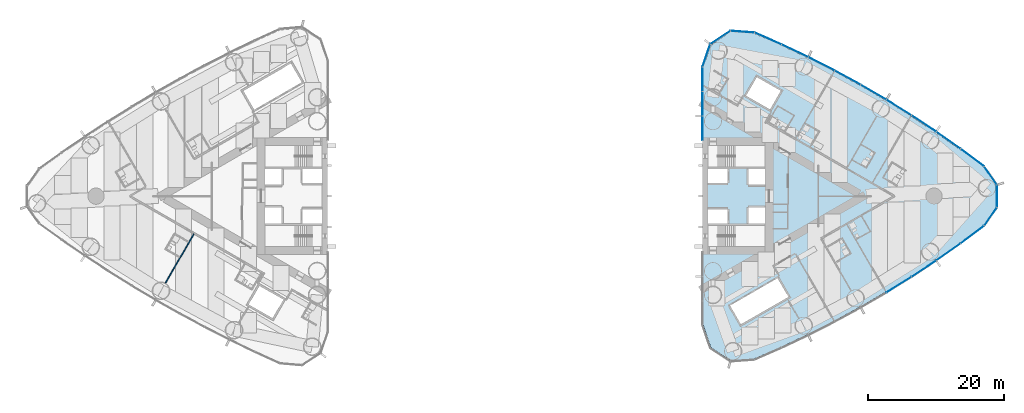
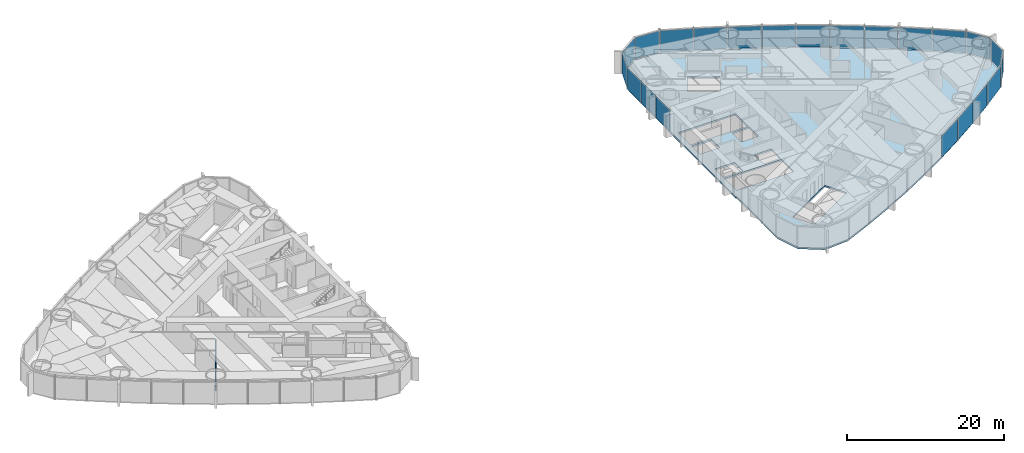
# One storey, part 10 of 18: 22 plates, 1 slab, 1 wall, 1 element without a shape of its own.
"""IFC4 building model written with IfcOpenShell, lengths in metres."""

from ifc_helpers import new_model, si_unit, direction, frame, frame_2d, origin, origin_2d, place, context, subcontext, project, spatial, polyline, rectangle, outline, extrude, material, layer, layer_set, type_object, element, aggregate, save


model = new_model("IFC4")

# Units and contexts
model_context = context("Model", 3, precision=1e-05, world=origin(), true_north=direction((0.0, 1.0)))
body_context = subcontext(model_context, "Body", "Model", "MODEL_VIEW")
ifc_project = project(units=[si_unit("LENGTHUNIT", "METRE"), si_unit("AREAUNIT", "SQUARE_METRE"), si_unit("VOLUMEUNIT", "CUBIC_METRE"), si_unit("PLANEANGLEUNIT", "RADIAN"), si_unit("MASSUNIT", "GRAM", prefix="KILO")], contexts=[model_context])

# Site, building, storey
site_placement = place(None, origin())
site = spatial("IfcSite", under=ifc_project, at=site_placement, CompositionType="ELEMENT")
building_placement = place(site_placement, origin())
building = spatial("IfcBuilding", under=site, at=building_placement, Name="Lancet Gate Hotel", CompositionType="ELEMENT")
storey_placement = place(building_placement, frame((0.0, 0.0, 125.60009765625)))
storey = spatial("IfcBuildingStorey", under=building, at=storey_placement, Name="L33", CompositionType="ELEMENT", Elevation=125.60009765625)

# Slab
ifc_material_1 = material(Name="Concrete C50/60", Category="concrete")
ifc_layer_1 = layer(ifc_material_1, 0.25)
ifc_layer_set_1 = layer_set([ifc_layer_1], Name="Floor slab 250")
slab_type = type_object("IfcSlabType", Name="Floor slab 250", PredefinedType="FLOOR", material=ifc_layer_set_1)
slab_placement = place(storey_placement, frame((0.0, 0.0, -0.25)))
element("IfcSlab", 1, at=slab_placement, inside=storey, type_object=slab_type, Name="T2 L33 floor slab", PredefinedType="FLOOR", context=body_context, shape_type="SweptSolid", body=[
    extrude(outline(polyline([(27.5, -8.60009765625), (27.6201171875, -8.60009765625), (27.6201171875, -18.923095703125), (28.7451171875, -22.22412109375), (31.63427734375, -24.1396484375), (35.112060546875, -23.890869140625), (39.0712890625, -22.150634765625), (42.996826171875, -20.29052734375), (46.867919921875, -18.31982421875), (50.681640625, -16.23974609375), (54.4345703125, -14.052490234375), (58.123779296875, -11.75927734375), (61.74658203125, -9.362548828125), (65.2998046875, -6.863525390625), (68.7666015625, -4.275390625), (70.627197265625, -1.6142578125), (70.627197265625, 1.6142578125), (68.7666015625, 4.275390625), (65.2998046875, 6.863525390625), (61.74658203125, 9.362548828125), (58.123779296875, 11.75927734375), (54.4345703125, 14.052490234375), (50.681640625, 16.23974609375), (46.867919921875, 18.31982421875), (42.996826171875, 20.29052734375), (39.0712890625, 22.150634765625), (35.112060546875, 23.890869140625), (31.63427734375, 24.1396484375), (28.7451171875, 22.22412109375), (27.6201171875, 18.923095703125), (27.6201171875, 8.60009765625), (27.5, 8.60009765625), (27.5, 8.199951171875), (27.5, -8.199951171875), (27.5, -8.60009765625)]), holes=[polyline([(36.699951171875, -7.39990234375), (36.699951171875, -4.300048828125), (28.300048828125, -4.300048828125), (28.300048828125, -7.39990234375), (36.699951171875, -7.39990234375)]), polyline([(28.300048828125, -4.0), (31.199951171875, -4.0), (31.199951171875, -1.89990234375), (28.300048828125, -1.89990234375), (28.300048828125, -4.0)]), polyline([(34.25, -4.0), (36.699951171875, -4.0), (36.699951171875, -1.64990234375), (34.25, -1.64990234375), (34.25, -4.0)]), polyline([(36.699951171875, 1.64990234375), (36.699951171875, 4.0), (34.25, 4.0), (34.25, 1.64990234375), (36.699951171875, 1.64990234375)]), polyline([(28.300048828125, 1.89990234375), (31.199951171875, 1.89990234375), (31.199951171875, 4.0), (28.300048828125, 4.0), (28.300048828125, 1.89990234375)]), polyline([(28.300048828125, 4.300048828125), (36.699951171875, 4.300048828125), (36.699951171875, 7.39990234375), (28.300048828125, 7.39990234375), (28.300048828125, 4.300048828125)]), polyline([(31.549072265625, -16.0810546875), (33.14892578125, -18.85205078125), (40.1640625, -14.802001953125), (38.56396484375, -12.031005859375), (31.549072265625, -16.0810546875)]), polyline([(33.887939453125, 14.73095703125), (37.43798828125, 12.680908203125), (39.0380859375, 15.451904296875), (35.488037109375, 17.501953125), (33.887939453125, 14.73095703125)])]), origin(), (0.0, 0.0, 1.0), 0.25),
])

# Curtain wall, plates
ifc_material_2 = material(Name="Aluminium curtain wall", Category="aluminium")
curtain_wall_type = type_object("IfcCurtainWallType", Name="Tower unitised curtain wall", PredefinedType="USERDEFINED", material=ifc_material_2)
curtain_wall_placement = place(storey_placement, origin())
curtain_wall = element("IfcCurtainWall", 2, at=curtain_wall_placement, inside=storey, type_object=curtain_wall_type, Name="T2 L33 curtain wall 1", ObjectType="UNITISED CURTAIN WALL", PredefinedType="USERDEFINED")
ifc_material_3 = material(Name="Glass double glazed unit 8-16-6", Category="glass")
ifc_layer_2 = layer(ifc_material_3, 0.030029296875)
ifc_layer_set_2 = layer_set([ifc_layer_2], Name="Vision panel double glazed")
plate_type = type_object("IfcPlateType", Name="Vision panel double glazed", PredefinedType="CURTAIN_PANEL", material=ifc_layer_set_2)
plate_1_placement = place(storey_placement, frame((56.342529296875, -13.0078125, -0.000244140625), z_axis=(0.0, 0.0, 1.0), x_axis=(0.849317759497, 0.527881940781, 0.0)))
plate_1 = element("IfcPlate", 3, at=plate_1_placement, type_object=plate_type, Name="T2 L33 curtain wall 1 panel 12", PredefinedType="CURTAIN_PANEL", context=body_context, shape_type="SweptSolid", body=[
    extrude(rectangle(XDim=4.2822265625, YDim=0.030029296875, at=origin_2d()), origin(), (0.0, 0.0, 1.0), 3.35009765625),
])
plate_2_placement = place(storey_placement, frame((60.00146484375, -10.660888671875, -0.000244140625), z_axis=(0.0, 0.0, 1.0), x_axis=(0.83398495346, 0.551787184885, 0.0)))
plate_2 = element("IfcPlate", 4, at=plate_2_placement, type_object=plate_type, Name="T2 L33 curtain wall 1 panel 13", PredefinedType="CURTAIN_PANEL", context=body_context, shape_type="SweptSolid", body=[
    extrude(rectangle(XDim=4.2822265625, YDim=0.030029296875, at=origin_2d()), origin(), (0.0, 0.0, 1.0), 3.35009765625),
])
plate_3_placement = place(storey_placement, frame((63.59228515625, -8.211181640625, -0.000244140625), z_axis=(0.0, 0.0, 1.0), x_axis=(0.817979492167, 0.57524738191, 0.0)))
plate_3 = element("IfcPlate", 5, at=plate_3_placement, type_object=plate_type, Name="T2 L33 curtain wall 1 panel 14", PredefinedType="CURTAIN_PANEL", context=body_context, shape_type="SweptSolid", body=[
    extrude(rectangle(XDim=4.2822265625, YDim=0.030029296875, at=origin_2d()), origin(), (0.0, 0.0, 1.0), 3.35009765625),
])
plate_4_placement = place(storey_placement, frame((67.112060546875, -5.660400390625, -0.000244140625), z_axis=(0.0, 0.0, 1.0), x_axis=(0.801314284905, 0.598243609917, 0.0)))
plate_4 = element("IfcPlate", 6, at=plate_4_placement, type_object=plate_type, Name="T2 L33 curtain wall 1 panel 15", PredefinedType="CURTAIN_PANEL", context=body_context, shape_type="SweptSolid", body=[
    extrude(rectangle(XDim=4.2822265625, YDim=0.030029296875, at=origin_2d()), origin(), (0.0, 0.0, 1.0), 3.35009765625),
])
plate_5_placement = place(storey_placement, frame((69.800537109375, -3.006103515625, -0.000244140625), z_axis=(0.0, 0.0, 1.0), x_axis=(0.573025075425, 0.819537834962, 0.0)))
plate_5 = element("IfcPlate", 7, at=plate_5_placement, type_object=plate_type, Name="T2 L33 curtain wall 1 panel 16", PredefinedType="CURTAIN_PANEL", context=body_context, shape_type="SweptSolid", body=[
    extrude(rectangle(XDim=3.2392578125, YDim=0.030029296875, at=origin_2d()), origin(), (0.0, 0.0, 1.0), 3.35009765625),
])
plate_6_placement = place(storey_placement, frame((70.747314453125, 0.0, -0.000244140625), z_axis=(0.0, 0.0, 1.0), x_axis=(0.0, 1.0, 0.0)))
plate_6 = element("IfcPlate", 8, at=plate_6_placement, type_object=plate_type, Name="T2 L33 curtain wall 1 panel 17", PredefinedType="CURTAIN_PANEL", context=body_context, shape_type="SweptSolid", body=[
    extrude(rectangle(XDim=3.2392578125, YDim=0.030029296875, at=origin_2d()), origin(), (0.0, 0.0, 1.0), 3.35009765625),
])
plate_7_placement = place(storey_placement, frame((69.800537109375, 3.006103515625, -0.000244140625), z_axis=(0.0, 0.0, 1.0), x_axis=(-0.573025075425, 0.819537834962, 0.0)))
plate_7 = element("IfcPlate", 9, at=plate_7_placement, type_object=plate_type, Name="T2 L33 curtain wall 1 panel 18", PredefinedType="CURTAIN_PANEL", context=body_context, shape_type="SweptSolid", body=[
    extrude(rectangle(XDim=3.2392578125, YDim=0.030029296875, at=origin_2d()), origin(), (0.0, 0.0, 1.0), 3.35009765625),
])
plate_8_placement = place(storey_placement, frame((67.112060546875, 5.660400390625, -0.000244140625), z_axis=(0.0, 0.0, 1.0), x_axis=(-0.801314284905, 0.598243609917, 0.0)))
plate_8 = element("IfcPlate", 10, at=plate_8_placement, type_object=plate_type, Name="T2 L33 curtain wall 1 panel 19", PredefinedType="CURTAIN_PANEL", context=body_context, shape_type="SweptSolid", body=[
    extrude(rectangle(XDim=4.2822265625, YDim=0.030029296875, at=origin_2d()), origin(), (0.0, 0.0, 1.0), 3.35009765625),
])
plate_9_placement = place(storey_placement, frame((63.59228515625, 8.211181640625, -0.000244140625), z_axis=(0.0, 0.0, 1.0), x_axis=(-0.817979492167, 0.57524738191, 0.0)))
plate_9 = element("IfcPlate", 11, at=plate_9_placement, type_object=plate_type, Name="T2 L33 curtain wall 1 panel 20", PredefinedType="CURTAIN_PANEL", context=body_context, shape_type="SweptSolid", body=[
    extrude(rectangle(XDim=4.2822265625, YDim=0.030029296875, at=origin_2d()), origin(), (0.0, 0.0, 1.0), 3.35009765625),
])
plate_10_placement = place(storey_placement, frame((60.00146484375, 10.660888671875, -0.000244140625), z_axis=(0.0, 0.0, 1.0), x_axis=(-0.83398495346, 0.551787184885, 0.0)))
plate_10 = element("IfcPlate", 12, at=plate_10_placement, type_object=plate_type, Name="T2 L33 curtain wall 1 panel 21", PredefinedType="CURTAIN_PANEL", context=body_context, shape_type="SweptSolid", body=[
    extrude(rectangle(XDim=4.2822265625, YDim=0.030029296875, at=origin_2d()), origin(), (0.0, 0.0, 1.0), 3.35009765625),
])
plate_11_placement = place(storey_placement, frame((56.342529296875, 13.0078125, -0.000244140625), z_axis=(0.0, 0.0, 1.0), x_axis=(-0.849317759497, 0.527881940781, 0.0)))
plate_11 = element("IfcPlate", 13, at=plate_11_placement, type_object=plate_type, Name="T2 L33 curtain wall 1 panel 22", PredefinedType="CURTAIN_PANEL", context=body_context, shape_type="SweptSolid", body=[
    extrude(rectangle(XDim=4.2822265625, YDim=0.030029296875, at=origin_2d()), origin(), (0.0, 0.0, 1.0), 3.35009765625),
])
plate_12_placement = place(storey_placement, frame((52.618408203125, 15.249755859375, -0.000244140625), z_axis=(0.0, 0.0, 1.0), x_axis=(-0.863965543499, 0.503550930538, 0.0)))
plate_12 = element("IfcPlate", 14, at=plate_12_placement, type_object=plate_type, Name="T2 L33 curtain wall 1 panel 23", PredefinedType="CURTAIN_PANEL", context=body_context, shape_type="SweptSolid", body=[
    extrude(rectangle(XDim=4.2822265625, YDim=0.030029296875, at=origin_2d()), origin(), (0.0, 0.0, 1.0), 3.35009765625),
])
plate_13_placement = place(storey_placement, frame((48.832275390625, 17.38525390625, -0.000244140625), z_axis=(0.0, 0.0, 1.0), x_axis=(-0.877916491224, 0.478813778454, 0.0)))
plate_13 = element("IfcPlate", 15, at=plate_13_placement, type_object=plate_type, Name="T2 L33 curtain wall 1 panel 24", PredefinedType="CURTAIN_PANEL", context=body_context, shape_type="SweptSolid", body=[
    extrude(rectangle(XDim=4.2822265625, YDim=0.030029296875, at=origin_2d()), origin(), (0.0, 0.0, 1.0), 3.35009765625),
])
plate_14_placement = place(storey_placement, frame((44.98681640625, 19.412109375, -0.000244140625), z_axis=(0.0, 0.0, 1.0), x_axis=(-0.891159350462, 0.453690436403, 0.0)))
plate_14 = element("IfcPlate", 16, at=plate_14_placement, type_object=plate_type, Name="T2 L33 curtain wall 1 panel 25", PredefinedType="CURTAIN_PANEL", context=body_context, shape_type="SweptSolid", body=[
    extrude(rectangle(XDim=4.2822265625, YDim=0.030029296875, at=origin_2d()), origin(), (0.0, 0.0, 1.0), 3.35009765625),
])
plate_15_placement = place(storey_placement, frame((41.08544921875, 21.3291015625, -0.000244140625), z_axis=(0.0, 0.0, 1.0), x_axis=(-0.903683440096, 0.428201167789, 0.0)))
plate_15 = element("IfcPlate", 17, at=plate_15_placement, type_object=plate_type, Name="T2 L33 curtain wall 1 panel 26", PredefinedType="CURTAIN_PANEL", context=body_context, shape_type="SweptSolid", body=[
    extrude(rectangle(XDim=4.2822265625, YDim=0.030029296875, at=origin_2d()), origin(), (0.0, 0.0, 1.0), 3.35009765625),
])
plate_16_placement = place(storey_placement, frame((37.13134765625, 23.13427734375, -0.000244140625), z_axis=(0.0, 0.0, 1.0), x_axis=(-0.915478658759, 0.40236653111, 0.0)))
plate_16 = element("IfcPlate", 18, at=plate_16_placement, type_object=plate_type, Name="T2 L33 curtain wall 1 panel 27", PredefinedType="CURTAIN_PANEL", context=body_context, shape_type="SweptSolid", body=[
    extrude(rectangle(XDim=4.2822265625, YDim=0.030029296875, at=origin_2d()), origin(), (0.0, 0.0, 1.0), 3.35009765625),
])
plate_17_placement = place(storey_placement, frame((33.37158203125, 24.1357421875, -0.000244140625), z_axis=(0.0, 0.0, 1.0), x_axis=(-0.997448492935, 0.07138980278, 0.0)))
plate_17 = element("IfcPlate", 19, at=plate_17_placement, type_object=plate_type, Name="T2 L33 curtain wall 1 panel 28", PredefinedType="CURTAIN_PANEL", context=body_context, shape_type="SweptSolid", body=[
    extrude(rectangle(XDim=3.4833984375, YDim=0.030029296875, at=origin_2d()), origin(), (0.0, 0.0, 1.0), 3.35009765625),
])
plate_18_placement = place(storey_placement, frame((30.123291015625, 23.281982421875, -0.000244140625), z_axis=(0.0, 0.0, 1.0), x_axis=(-0.833464516611, -0.552572981198, 0.0)))
plate_18 = element("IfcPlate", 20, at=plate_18_placement, type_object=plate_type, Name="T2 L33 curtain wall 1 panel 29", PredefinedType="CURTAIN_PANEL", context=body_context, shape_type="SweptSolid", body=[
    extrude(rectangle(XDim=3.4833984375, YDim=0.030029296875, at=origin_2d()), origin(), (0.0, 0.0, 1.0), 3.35009765625),
])
plate_19_placement = place(storey_placement, frame((28.072265625, 20.622314453125, -0.000244140625), z_axis=(0.0, 0.0, 1.0), x_axis=(-0.32257568891, -0.946543673015, 0.0)))
plate_19 = element("IfcPlate", 21, at=plate_19_placement, type_object=plate_type, Name="T2 L33 curtain wall 1 panel 30", PredefinedType="CURTAIN_PANEL", context=body_context, shape_type="SweptSolid", body=[
    extrude(rectangle(XDim=3.4833984375, YDim=0.030029296875, at=origin_2d()), origin(), (0.0, 0.0, 1.0), 3.35009765625),
])
plate_20_placement = place(storey_placement, frame((27.5, 17.15234375, -0.000244140625), z_axis=(0.0, 0.0, 1.0), x_axis=(0.0, -1.0, 0.0)))
plate_20 = element("IfcPlate", 22, at=plate_20_placement, type_object=plate_type, Name="T2 L33 curtain wall 1 panel 31", PredefinedType="CURTAIN_PANEL", context=body_context, shape_type="SweptSolid", body=[
    extrude(rectangle(XDim=3.515869140625, YDim=0.030029296875, at=origin_2d()), origin(), (0.0, 0.0, 1.0), 3.35009765625),
])
plate_21_placement = place(storey_placement, frame((27.5, 13.571533203125, -0.000244140625), z_axis=(0.0, 0.0, 1.0), x_axis=(0.0, -1.0, 0.0)))
plate_21 = element("IfcPlate", 23, at=plate_21_placement, type_object=plate_type, Name="T2 L33 curtain wall 1 panel 32", PredefinedType="CURTAIN_PANEL", context=body_context, shape_type="SweptSolid", body=[
    extrude(rectangle(XDim=3.515869140625, YDim=0.030029296875, at=origin_2d()), origin(), (0.0, 0.0, 1.0), 3.35009765625),
])
plate_22_placement = place(storey_placement, frame((27.5, 9.990478515625, -0.000244140625), z_axis=(0.0, 0.0, 1.0), x_axis=(0.0, -1.0, 0.0)))
plate_22 = element("IfcPlate", 24, at=plate_22_placement, type_object=plate_type, Name="T2 L33 curtain wall 1 panel 33", PredefinedType="CURTAIN_PANEL", context=body_context, shape_type="SweptSolid", body=[
    extrude(rectangle(XDim=3.515869140625, YDim=0.030029296875, at=origin_2d()), origin(), (0.0, 0.0, 1.0), 3.35009765625),
])
aggregate(curtain_wall, [plate_1, plate_2, plate_3, plate_4, plate_5, plate_6, plate_7, plate_8, plate_9, plate_10, plate_11, plate_12, plate_13, plate_14, plate_15, plate_16, plate_17, plate_18, plate_19, plate_20, plate_21, plate_22])

# Wall
ifc_material_4 = material(Name="Gypsum board partition")
ifc_layer_3 = layer(ifc_material_4, 0.14990234375)
ifc_layer_set_3 = layer_set([ifc_layer_3], Name="Party wall 150")
wall_type = type_object("IfcWallType", Name="Party wall 150", PredefinedType="PARTITIONING", material=ifc_layer_set_3)
wall_placement = place(storey_placement, frame((-47.151123046875, -5.552490234375, 0.0), z_axis=(0.0, 0.0, 1.0), x_axis=(-0.500003012045, -0.866023664773, 0.0)))
element("IfcWall", 25, at=wall_placement, inside=storey, type_object=wall_type, Name="T1 party wall 150 L33", PredefinedType="PARTITIONING", context=body_context, shape_type="SweptSolid", body=[
    extrude(rectangle(XDim=8.31103515625, YDim=0.14990234375, at=frame_2d((4.155517578125, 0.0))), origin(), (0.0, 0.0, 1.0), 2.199951171875),
])

save(model, "model.ifc")
